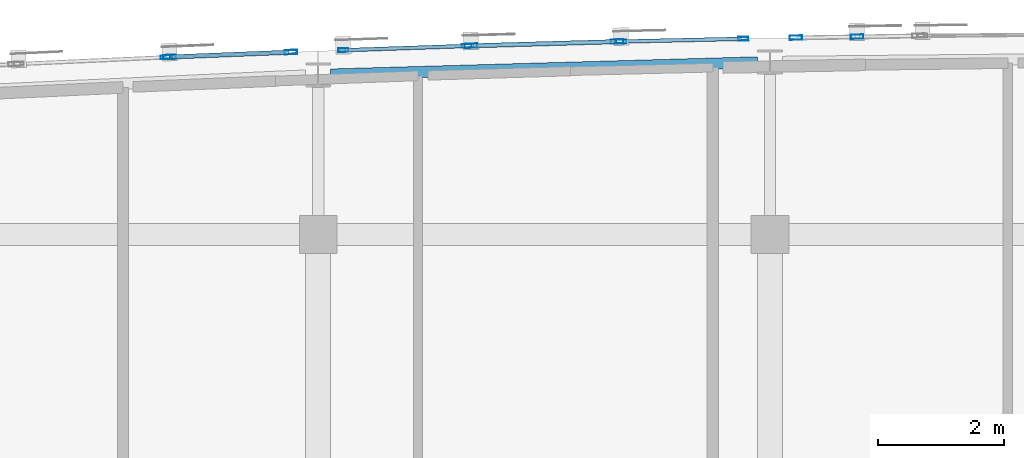
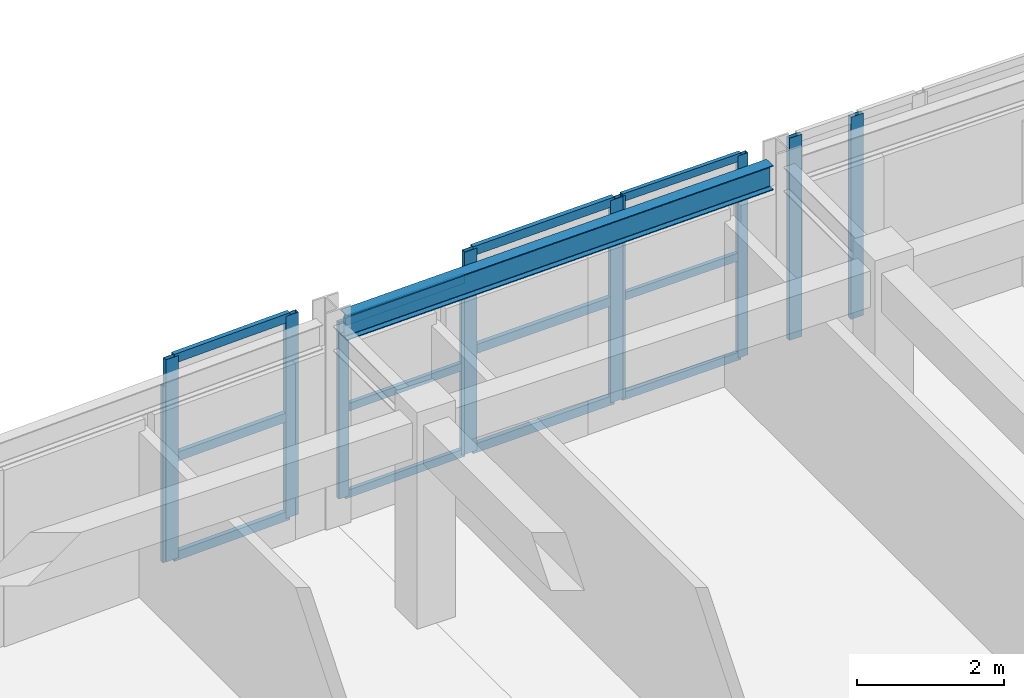
# One storey, part 15 of 45: 23 members, 1 beam, 6 elements without a shape of their own.
"""IFC4 building model written with IfcOpenShell, lengths in metres."""

from ifc_helpers import new_model, si_unit, direction, frame, origin, origin_2d, place, context, subcontext, project, spatial, hollow_rectangle, i_section, extrude, material, layer, layer_set, material_profile, profile_set, type_object, element, aggregate, save


model = new_model("IFC4")

# Units and contexts
model_context = context("Model", 3, precision=1e-05, world=origin(), true_north=direction((0.0, 1.0)))
body_context = subcontext(model_context, "Body", "Model", "MODEL_VIEW")
ifc_project = project(units=[si_unit("LENGTHUNIT", "METRE"), si_unit("AREAUNIT", "SQUARE_METRE"), si_unit("VOLUMEUNIT", "CUBIC_METRE"), si_unit("PLANEANGLEUNIT", "RADIAN"), si_unit("MASSUNIT", "GRAM", prefix="KILO")], contexts=[model_context])

# Site, building, storey
site_placement = place(None, origin())
site = spatial("IfcSite", under=ifc_project, at=site_placement, CompositionType="ELEMENT")
building_placement = place(site_placement, origin())
building = spatial("IfcBuilding", under=site, at=building_placement, Name="Carrowvane Square Congress Hotel", CompositionType="ELEMENT")
storey_placement = place(building_placement, frame((0.0, 0.0, 33.60009765625)))
storey = spatial("IfcBuildingStorey", under=building, at=storey_placement, Name="L08", CompositionType="ELEMENT", Elevation=33.60009765625)

# Beam
ifc_material_1 = material(Name="Steel S355", Category="steel")
ifc_material_profile_1 = material_profile(ifc_material_1, i_section(OverallWidth=0.1787109375, OverallDepth=0.409423828125, WebThickness=0.0087890625, FlangeThickness=0.014404296875, FilletRadius=0.01025390625, at=origin_2d()), Name="UKB 406x178x67")
ifc_profile_set_1 = profile_set([ifc_material_profile_1], Name="Steel S355")
beam_type = type_object("IfcBeamType", Name="BM-ST-UKB406", PredefinedType="BEAM", material=ifc_profile_set_1)
beam_placement = place(storey_placement, frame((83.79736328125, 115.94970703125, 3.1552734375), z_axis=(0.999592525084, 0.028544417936, 0.0), x_axis=(-0.028544417936, 0.999592525084, 0.0)))
element("IfcBeam", 1, at=beam_placement, inside=storey, type_object=beam_type, Name="L09 curved north spandrel", PredefinedType="BEAM", context=body_context, shape_type="SweptSolid", body=[
    extrude(i_section(OverallWidth=0.1787109375, OverallDepth=0.409423828125, WebThickness=0.0087890625, FlangeThickness=0.014404296875, FilletRadius=0.01025390625, at=origin_2d()), origin(), (0.0, 0.0, 1.0), 6.80810546875),
])

# Curtain wall, member
ifc_material_2 = material(Name="Anodised aluminium", Category="aluminium")
ifc_layer_1 = layer(ifc_material_2, 0.18603515625)
ifc_layer_set_1 = layer_set([ifc_layer_1], Name="Anodised aluminium")
curtain_wall_type_1 = type_object("IfcCurtainWallType", Name="CW-SYS-3", PredefinedType="NOTDEFINED", material=ifc_layer_set_1)
curtain_wall_1_placement = place(storey_placement, origin())
curtain_wall_1 = element("IfcCurtainWall", 2, at=curtain_wall_1_placement, inside=storey, type_object=curtain_wall_type_1, Name="L08 unitised curtain wall 474", PredefinedType="NOTDEFINED")
ifc_material_3 = material(Name="Anodised aluminium", Category="aluminium")
ifc_material_profile_2 = material_profile(ifc_material_3, hollow_rectangle(XDim=0.06005859375, YDim=0.159912109375, WallThickness=0.00390625, at=origin_2d()), Name="CW-ML 60x160x4")
ifc_profile_set_2 = profile_set([ifc_material_profile_2], Name="Anodised aluminium")
member_type_1 = type_object("IfcMemberType", Name="CW-MUL-1", PredefinedType="MULLION", material=ifc_profile_set_2)
member_1_placement = place(storey_placement, frame((81.170166015625, 116.226318359375, 0.0), z_axis=(0.0, 0.0, 1.0), x_axis=(-0.045411059449, 0.998968385726, 0.0)))
member_1 = element("IfcMember", 3, at=member_1_placement, type_object=member_type_1, Name="CW-3 mullion 2", PredefinedType="MULLION", context=body_context, shape_type="SweptSolid", body=[
    extrude(hollow_rectangle(XDim=0.06005859375, YDim=0.159912109375, WallThickness=0.00390625, at=origin_2d()), origin(), (0.0, 0.0, 1.0), 2.935546875),
])
aggregate(curtain_wall_1, [member_1])

# Curtain wall, members
ifc_material_4 = material(Name="Anodised aluminium", Category="aluminium")
ifc_layer_2 = layer(ifc_material_4, 0.2099609375)
ifc_layer_set_2 = layer_set([ifc_layer_2], Name="Anodised aluminium")
curtain_wall_type_2 = type_object("IfcCurtainWallType", Name="CW-SYS-5", PredefinedType="NOTDEFINED", material=ifc_layer_set_2)
curtain_wall_2_placement = place(storey_placement, origin())
curtain_wall_2 = element("IfcCurtainWall", 4, at=curtain_wall_2_placement, inside=storey, type_object=curtain_wall_type_2, Name="L08 unitised curtain wall 476", PredefinedType="NOTDEFINED")
member_2_placement = place(storey_placement, frame((84.00048828125, 116.337890625, 0.0), z_axis=(0.0, 0.0, 1.0), x_axis=(-0.034526729036, 0.999403774749, 0.0)))
member_2 = element("IfcMember", 5, at=member_2_placement, type_object=member_type_1, Name="CW-5 mullion 1", PredefinedType="MULLION", context=body_context, shape_type="SweptSolid", body=[
    extrude(hollow_rectangle(XDim=0.06005859375, YDim=0.159912109375, WallThickness=0.00390625, at=origin_2d()), origin(), (0.0, 0.0, 1.0), 2.935546875),
])
member_3_placement = place(storey_placement, frame((85.969970703125, 116.406005859375, 0.0), z_axis=(0.0, 0.0, 1.0), x_axis=(-0.034526729036, 0.999403774749, 0.0)))
member_3 = element("IfcMember", 6, at=member_3_placement, type_object=member_type_1, Name="CW-5 mullion 2", PredefinedType="MULLION", context=body_context, shape_type="SweptSolid", body=[
    extrude(hollow_rectangle(XDim=0.06005859375, YDim=0.159912109375, WallThickness=0.00390625, at=origin_2d()), origin(), (0.0, 0.0, 1.0), 2.935546875),
])

ifc_material_5 = material(Name="Anodised aluminium", Category="aluminium")
ifc_layer_3 = layer(ifc_material_5, 0.23388671875)
ifc_layer_set_3 = layer_set([ifc_layer_3], Name="Anodised aluminium")
curtain_wall_type_3 = type_object("IfcCurtainWallType", Name="CW-SYS-7", PredefinedType="NOTDEFINED", material=ifc_layer_set_3)
curtain_wall_3_placement = place(storey_placement, origin())
curtain_wall_3 = element("IfcCurtainWall", 7, at=curtain_wall_3_placement, inside=storey, type_object=curtain_wall_type_3, Name="L08 unitised curtain wall 478", PredefinedType="NOTDEFINED")
member_4_placement = place(storey_placement, frame((88.429931640625, 116.476318359375, 0.0), z_axis=(0.0, 0.0, 1.0), x_axis=(-0.022517686606, 0.99974644475, 0.0)))
member_4 = element("IfcMember", 8, at=member_4_placement, type_object=member_type_1, Name="CW-7 mullion 1", PredefinedType="MULLION", context=body_context, shape_type="SweptSolid", body=[
    extrude(hollow_rectangle(XDim=0.06005859375, YDim=0.159912109375, WallThickness=0.00390625, at=origin_2d()), origin(), (0.0, 0.0, 1.0), 3.35986328125),
])
member_5_placement = place(storey_placement, frame((90.377685546875, 116.520263671875, 0.0), z_axis=(0.0, 0.0, 1.0), x_axis=(-0.022517686606, 0.99974644475, 0.0)))
member_5 = element("IfcMember", 9, at=member_5_placement, type_object=member_type_1, Name="CW-7 mullion 2", PredefinedType="MULLION", context=body_context, shape_type="SweptSolid", body=[
    extrude(hollow_rectangle(XDim=0.06005859375, YDim=0.159912109375, WallThickness=0.00390625, at=origin_2d()), origin(), (0.0, 0.0, 1.0), 3.35986328125),
])

ifc_material_6 = material(Name="Anodised aluminium", Category="aluminium")
ifc_layer_4 = layer(ifc_material_6, 0.197998046875)
ifc_layer_set_4 = layer_set([ifc_layer_4], Name="Anodised aluminium")
curtain_wall_type_4 = type_object("IfcCurtainWallType", Name="CW-SYS-4", PredefinedType="NOTDEFINED", material=ifc_layer_set_4)
curtain_wall_4_placement = place(storey_placement, origin())
curtain_wall_4 = element("IfcCurtainWall", 10, at=curtain_wall_4_placement, inside=storey, type_object=curtain_wall_type_4, Name="L08 unitised curtain wall 475", PredefinedType="NOTDEFINED")
ifc_material_7 = material(Name="Anodised aluminium", Category="aluminium")
ifc_material_profile_3 = material_profile(ifc_material_7, hollow_rectangle(XDim=0.070068359375, YDim=0.199951171875, WallThickness=0.0048828125, at=origin_2d()), Name="CW-ML 70x200x5")
ifc_profile_set_3 = profile_set([ifc_material_profile_3], Name="Anodised aluminium")
member_type_2 = type_object("IfcMemberType", Name="CW-MUL-2", PredefinedType="MULLION", material=ifc_profile_set_3)
member_6_placement = place(storey_placement, frame((81.23486328125, 116.22900390625, 0.0), z_axis=(0.0, 0.0, 1.0), x_axis=(-0.040135742379, 0.999194236464, 0.0)))
member_6 = element("IfcMember", 11, at=member_6_placement, type_object=member_type_2, Name="CW-4 mullion 1", PredefinedType="MULLION", context=body_context, shape_type="SweptSolid", body=[
    extrude(hollow_rectangle(XDim=0.070068359375, YDim=0.199951171875, WallThickness=0.0048828125, at=origin_2d()), origin(), (0.0, 0.0, 1.0), 3.35986328125),
])
member_7_placement = place(storey_placement, frame((83.166015625, 116.306640625, 0.0), z_axis=(0.0, 0.0, 1.0), x_axis=(-0.040135742379, 0.999194236464, 0.0)))
member_7 = element("IfcMember", 12, at=member_7_placement, type_object=member_type_2, Name="CW-4 mullion 2", PredefinedType="MULLION", context=body_context, shape_type="SweptSolid", body=[
    extrude(hollow_rectangle(XDim=0.070068359375, YDim=0.199951171875, WallThickness=0.0048828125, at=origin_2d()), origin(), (0.0, 0.0, 1.0), 3.35986328125),
])

ifc_material_8 = material(Name="Anodised aluminium", Category="aluminium")
ifc_layer_5 = layer(ifc_material_8, 0.221923828125)
ifc_layer_set_5 = layer_set([ifc_layer_5], Name="Anodised aluminium")
curtain_wall_type_5 = type_object("IfcCurtainWallType", Name="CW-SYS-6", PredefinedType="NOTDEFINED", material=ifc_layer_set_5)
curtain_wall_5_placement = place(storey_placement, origin())
curtain_wall_5 = element("IfcCurtainWall", 13, at=curtain_wall_5_placement, inside=storey, type_object=curtain_wall_type_5, Name="L08 unitised curtain wall 477", PredefinedType="NOTDEFINED")
member_8_placement = place(storey_placement, frame((86.034912109375, 116.407958984375, 0.0), z_axis=(0.0, 0.0, 1.0), x_axis=(-0.028638010501, 0.999589848065, 0.0)))
member_8 = element("IfcMember", 14, at=member_8_placement, type_object=member_type_2, Name="CW-6 mullion 1", PredefinedType="MULLION", context=body_context, shape_type="SweptSolid", body=[
    extrude(hollow_rectangle(XDim=0.070068359375, YDim=0.199951171875, WallThickness=0.0048828125, at=origin_2d()), origin(), (0.0, 0.0, 1.0), 3.35986328125),
])
member_9_placement = place(storey_placement, frame((88.364990234375, 116.474609375, 0.0), z_axis=(0.0, 0.0, 1.0), x_axis=(-0.028638010501, 0.999589848065, 0.0)))
member_9 = element("IfcMember", 15, at=member_9_placement, type_object=member_type_2, Name="CW-6 mullion 2", PredefinedType="MULLION", context=body_context, shape_type="SweptSolid", body=[
    extrude(hollow_rectangle(XDim=0.070068359375, YDim=0.199951171875, WallThickness=0.0048828125, at=origin_2d()), origin(), (0.0, 0.0, 1.0), 3.35986328125),
])

ifc_material_9 = material(Name="Anodised aluminium", Category="aluminium")
ifc_layer_6 = layer(ifc_material_9, 0.24609375)
ifc_layer_set_6 = layer_set([ifc_layer_6], Name="Anodised aluminium")
curtain_wall_type_6 = type_object("IfcCurtainWallType", Name="CW-SYS-8", PredefinedType="NOTDEFINED", material=ifc_layer_set_6)
curtain_wall_6_placement = place(storey_placement, origin())
curtain_wall_6 = element("IfcCurtainWall", 16, at=curtain_wall_6_placement, inside=storey, type_object=curtain_wall_type_6, Name="L08 unitised curtain wall 479", PredefinedType="NOTDEFINED")
member_10_placement = place(storey_placement, frame((91.212646484375, 116.536376953125, 0.0), z_axis=(0.0, 0.0, 1.0), x_axis=(-0.016215981364, 0.99986851233, 0.0)))
member_10 = element("IfcMember", 17, at=member_10_placement, type_object=member_type_2, Name="CW-8 mullion 1", PredefinedType="MULLION", context=body_context, shape_type="SweptSolid", body=[
    extrude(hollow_rectangle(XDim=0.070068359375, YDim=0.199951171875, WallThickness=0.0048828125, at=origin_2d()), origin(), (0.0, 0.0, 1.0), 3.35986328125),
])
member_11_placement = place(storey_placement, frame((92.188720703125, 116.55224609375, 0.0), z_axis=(0.0, 0.0, 1.0), x_axis=(-0.016215981364, 0.99986851233, 0.0)))
member_11 = element("IfcMember", 18, at=member_11_placement, type_object=member_type_2, Name="CW-8 mullion 2", PredefinedType="MULLION", context=body_context, shape_type="SweptSolid", body=[
    extrude(hollow_rectangle(XDim=0.070068359375, YDim=0.199951171875, WallThickness=0.0048828125, at=origin_2d()), origin(), (0.0, 0.0, 1.0), 3.35986328125),
])
aggregate(curtain_wall_6, [member_10, member_11])

# Member
ifc_material_10 = material(Name="Anodised aluminium", Category="aluminium")
ifc_material_profile_4 = material_profile(ifc_material_10, hollow_rectangle(XDim=0.06005859375, YDim=0.1298828125, WallThickness=0.00390625, at=origin_2d()), Name="CW-TR 60x130x4")
ifc_profile_set_4 = profile_set([ifc_material_profile_4], Name="Anodised aluminium")
member_type_3 = type_object("IfcMemberType", Name="CW-TRN-1", PredefinedType="USERDEFINED", material=ifc_profile_set_4)
member_12_placement = place(storey_placement, frame((84.030517578125, 116.3388671875, 0.02978515625), z_axis=(0.999404632698, 0.034501886054, 0.0), x_axis=(-0.034501886054, 0.999404632698, 0.0)))
member_12 = element("IfcMember", 19, at=member_12_placement, type_object=member_type_3, Name="CW-5 transom 1.1", ObjectType="TRANSOM", PredefinedType="USERDEFINED", context=body_context, shape_type="SweptSolid", body=[
    extrude(hollow_rectangle(XDim=0.06005859375, YDim=0.1298828125, WallThickness=0.00390625, at=origin_2d()), origin(), (0.0, 0.0, 1.0), 1.91064453125),
])

member_13_placement = place(storey_placement, frame((84.030517578125, 116.3388671875, 1.4677734375), z_axis=(0.999404632698, 0.034501886054, 0.0), x_axis=(-0.034501886054, 0.999404632698, 0.0)))
member_13 = element("IfcMember", 20, at=member_13_placement, type_object=member_type_3, Name="CW-5 transom 1.2", ObjectType="TRANSOM", PredefinedType="USERDEFINED", context=body_context, shape_type="SweptSolid", body=[
    extrude(hollow_rectangle(XDim=0.06005859375, YDim=0.1298828125, WallThickness=0.00390625, at=origin_2d()), origin(), (0.0, 0.0, 1.0), 1.91064453125),
])

member_14_placement = place(storey_placement, frame((84.030517578125, 116.3388671875, 2.905517578125), z_axis=(0.999404632698, 0.034501886054, 0.0), x_axis=(-0.034501886054, 0.999404632698, 0.0)))
member_14 = element("IfcMember", 21, at=member_14_placement, type_object=member_type_3, Name="CW-5 transom 1.3", ObjectType="TRANSOM", PredefinedType="USERDEFINED", context=body_context, shape_type="SweptSolid", body=[
    extrude(hollow_rectangle(XDim=0.06005859375, YDim=0.1298828125, WallThickness=0.00390625, at=origin_2d()), origin(), (0.0, 0.0, 1.0), 1.91064453125),
])

aggregate(curtain_wall_2, [member_2, member_3, member_12, member_13, member_14])

member_15_placement = place(storey_placement, frame((88.4599609375, 116.47705078125, 0.02978515625), z_axis=(0.999746883827, 0.022498183883, 0.0), x_axis=(-0.022498183883, 0.999746883827, 0.0)))
member_15 = element("IfcMember", 22, at=member_15_placement, type_object=member_type_3, Name="CW-7 transom 1.1", ObjectType="TRANSOM", PredefinedType="USERDEFINED", context=body_context, shape_type="SweptSolid", body=[
    extrude(hollow_rectangle(XDim=0.06005859375, YDim=0.1298828125, WallThickness=0.00390625, at=origin_2d()), origin(), (0.0, 0.0, 1.0), 1.88818359375),
])

member_16_placement = place(storey_placement, frame((88.4599609375, 116.47705078125, 1.679931640625), z_axis=(0.999746883827, 0.022498183883, 0.0), x_axis=(-0.022498183883, 0.999746883827, 0.0)))
member_16 = element("IfcMember", 23, at=member_16_placement, type_object=member_type_3, Name="CW-7 transom 1.2", ObjectType="TRANSOM", PredefinedType="USERDEFINED", context=body_context, shape_type="SweptSolid", body=[
    extrude(hollow_rectangle(XDim=0.06005859375, YDim=0.1298828125, WallThickness=0.00390625, at=origin_2d()), origin(), (0.0, 0.0, 1.0), 1.88818359375),
])

member_17_placement = place(storey_placement, frame((88.4599609375, 116.47705078125, 3.329833984375), z_axis=(0.999746883827, 0.022498183883, 0.0), x_axis=(-0.022498183883, 0.999746883827, 0.0)))
member_17 = element("IfcMember", 24, at=member_17_placement, type_object=member_type_3, Name="CW-7 transom 1.3", ObjectType="TRANSOM", PredefinedType="USERDEFINED", context=body_context, shape_type="SweptSolid", body=[
    extrude(hollow_rectangle(XDim=0.06005859375, YDim=0.1298828125, WallThickness=0.00390625, at=origin_2d()), origin(), (0.0, 0.0, 1.0), 1.88818359375),
])

aggregate(curtain_wall_3, [member_4, member_5, member_15, member_16, member_17])

ifc_material_11 = material(Name="Anodised aluminium", Category="aluminium")
ifc_material_profile_5 = material_profile(ifc_material_11, hollow_rectangle(XDim=0.070068359375, YDim=0.14990234375, WallThickness=0.0048828125, at=origin_2d()), Name="CW-TR 70x150x5")
ifc_profile_set_5 = profile_set([ifc_material_profile_5], Name="Anodised aluminium")
member_type_4 = type_object("IfcMemberType", Name="CW-TRN-2", PredefinedType="USERDEFINED", material=ifc_profile_set_5)
member_18_placement = place(storey_placement, frame((81.27001953125, 116.23046875, 0.034912109375), z_axis=(0.999195295271, 0.040109374308, 0.0), x_axis=(-0.040109374308, 0.999195295271, 0.0)))
member_18 = element("IfcMember", 25, at=member_18_placement, type_object=member_type_4, Name="CW-4 transom 1.1", ObjectType="TRANSOM", PredefinedType="USERDEFINED", context=body_context, shape_type="SweptSolid", body=[
    extrude(hollow_rectangle(XDim=0.070068359375, YDim=0.14990234375, WallThickness=0.0048828125, at=origin_2d()), origin(), (0.0, 0.0, 1.0), 1.862548828125),
])

member_19_placement = place(storey_placement, frame((81.27001953125, 116.23046875, 1.679931640625), z_axis=(0.999195295271, 0.040109374308, 0.0), x_axis=(-0.040109374308, 0.999195295271, 0.0)))
member_19 = element("IfcMember", 26, at=member_19_placement, type_object=member_type_4, Name="CW-4 transom 1.2", ObjectType="TRANSOM", PredefinedType="USERDEFINED", context=body_context, shape_type="SweptSolid", body=[
    extrude(hollow_rectangle(XDim=0.070068359375, YDim=0.14990234375, WallThickness=0.0048828125, at=origin_2d()), origin(), (0.0, 0.0, 1.0), 1.862548828125),
])

member_20_placement = place(storey_placement, frame((81.27001953125, 116.23046875, 3.324951171875), z_axis=(0.999195295271, 0.040109374308, 0.0), x_axis=(-0.040109374308, 0.999195295271, 0.0)))
member_20 = element("IfcMember", 27, at=member_20_placement, type_object=member_type_4, Name="CW-4 transom 1.3", ObjectType="TRANSOM", PredefinedType="USERDEFINED", context=body_context, shape_type="SweptSolid", body=[
    extrude(hollow_rectangle(XDim=0.070068359375, YDim=0.14990234375, WallThickness=0.0048828125, at=origin_2d()), origin(), (0.0, 0.0, 1.0), 1.862548828125),
])

aggregate(curtain_wall_4, [member_6, member_7, member_18, member_19, member_20])

member_21_placement = place(storey_placement, frame((86.070068359375, 116.408935546875, 0.034912109375), z_axis=(0.999590499539, 0.028615262221, 0.0), x_axis=(-0.028615262221, 0.999590499539, 0.0)))
member_21 = element("IfcMember", 28, at=member_21_placement, type_object=member_type_4, Name="CW-6 transom 1.1", ObjectType="TRANSOM", PredefinedType="USERDEFINED", context=body_context, shape_type="SweptSolid", body=[
    extrude(hollow_rectangle(XDim=0.070068359375, YDim=0.14990234375, WallThickness=0.0048828125, at=origin_2d()), origin(), (0.0, 0.0, 1.0), 2.260986328125),
])

member_22_placement = place(storey_placement, frame((86.070068359375, 116.408935546875, 1.679931640625), z_axis=(0.999590499539, 0.028615262221, 0.0), x_axis=(-0.028615262221, 0.999590499539, 0.0)))
member_22 = element("IfcMember", 29, at=member_22_placement, type_object=member_type_4, Name="CW-6 transom 1.2", ObjectType="TRANSOM", PredefinedType="USERDEFINED", context=body_context, shape_type="SweptSolid", body=[
    extrude(hollow_rectangle(XDim=0.070068359375, YDim=0.14990234375, WallThickness=0.0048828125, at=origin_2d()), origin(), (0.0, 0.0, 1.0), 2.260986328125),
])

member_23_placement = place(storey_placement, frame((86.070068359375, 116.408935546875, 3.324951171875), z_axis=(0.999590499539, 0.028615262221, 0.0), x_axis=(-0.028615262221, 0.999590499539, 0.0)))
member_23 = element("IfcMember", 30, at=member_23_placement, type_object=member_type_4, Name="CW-6 transom 1.3", ObjectType="TRANSOM", PredefinedType="USERDEFINED", context=body_context, shape_type="SweptSolid", body=[
    extrude(hollow_rectangle(XDim=0.070068359375, YDim=0.14990234375, WallThickness=0.0048828125, at=origin_2d()), origin(), (0.0, 0.0, 1.0), 2.260986328125),
])

aggregate(curtain_wall_5, [member_8, member_9, member_21, member_22, member_23])

save(model, "model.ifc")
